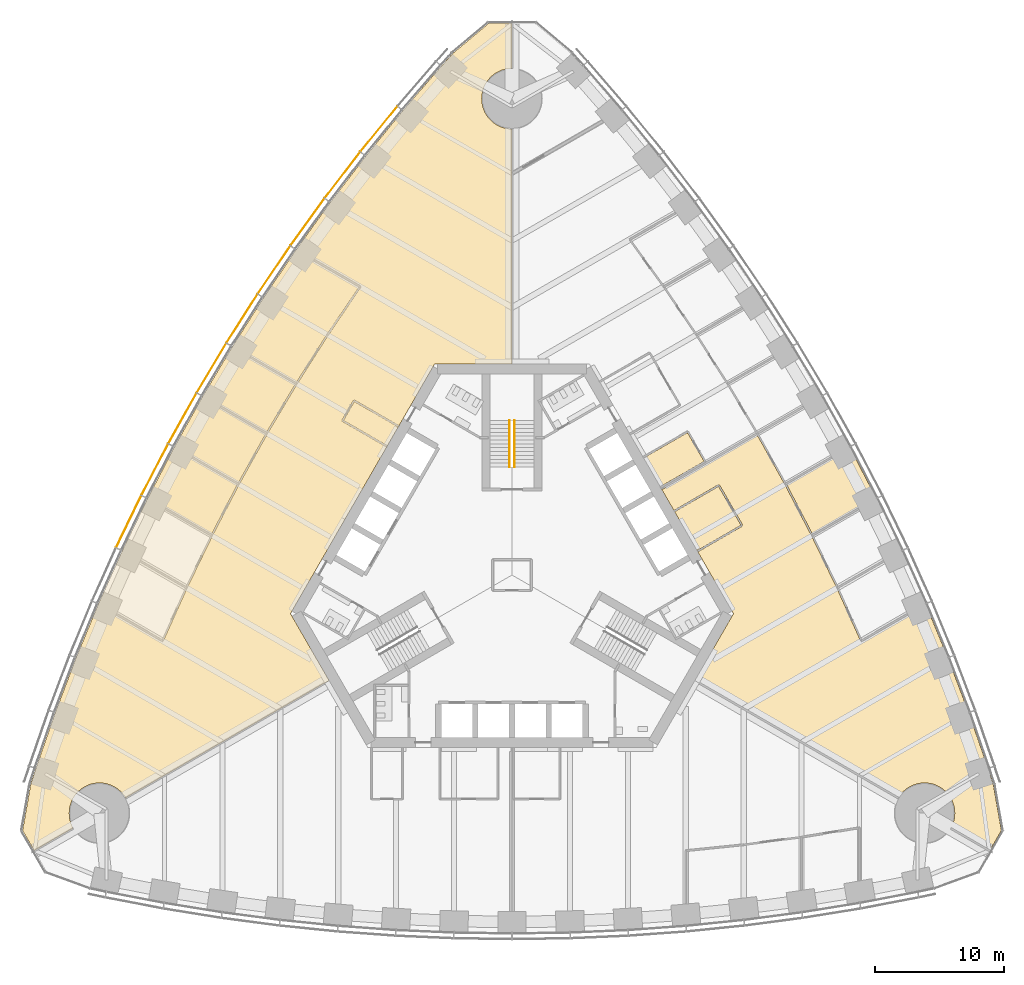
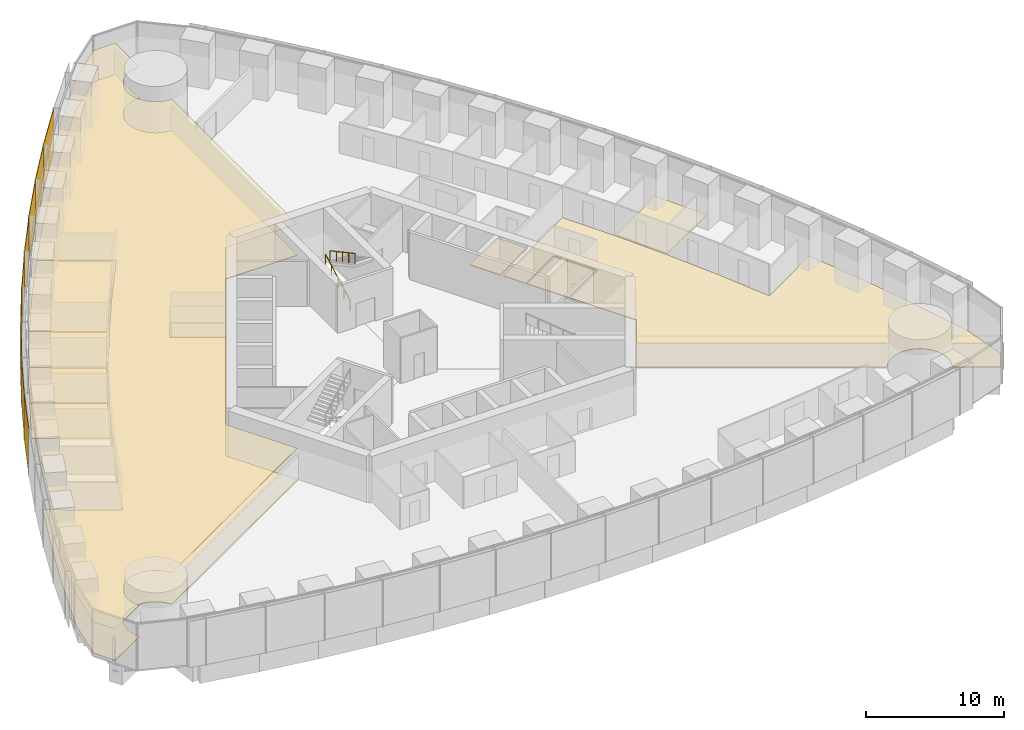
# One storey, part 16 of 19: 11 coverings, 9 shading devices, 2 railings.
"""IFC4 building model written with IfcOpenShell, lengths in metres."""

from ifc_helpers import new_model, si_unit, direction, frame, origin, origin_2d, place, context, subcontext, project, spatial, polyline, rectangle, circle, outline, extrude, material, layer, layer_set, type_object, element, save


model = new_model("IFC4")

# Units and contexts
model_context = context("Model", 3, precision=1e-05, world=origin(), true_north=direction((0.0, 1.0)))
body_context = subcontext(model_context, "Body", "Model", "MODEL_VIEW")
ifc_project = project(units=[si_unit("LENGTHUNIT", "METRE"), si_unit("AREAUNIT", "SQUARE_METRE"), si_unit("VOLUMEUNIT", "CUBIC_METRE"), si_unit("PLANEANGLEUNIT", "RADIAN"), si_unit("MASSUNIT", "GRAM", prefix="KILO")], contexts=[model_context])

# Site, building, storey
site_placement = place(None, origin())
site = spatial("IfcSite", under=ifc_project, at=site_placement, CompositionType="ELEMENT")
building_placement = place(site_placement, origin())
building = spatial("IfcBuilding", under=site, at=building_placement, Name="Trefoil Bronze Tower", CompositionType="ELEMENT")
storey_placement = place(building_placement, frame((0.0, 0.0, 79.5)))
storey = spatial("IfcBuildingStorey", under=building, at=storey_placement, Name="L18", CompositionType="ELEMENT", Elevation=79.5)

# Shading devices
ifc_material_1 = material(Name="Perforated bronze sheet", Category="bronze")
ifc_layer_1 = layer(ifc_material_1, 0.0400390625)
ifc_layer_set_1 = layer_set([ifc_layer_1], Name="Bronze solar screen panel")
shading_device_type = type_object("IfcShadingDeviceType", Name="Bronze solar screen panel", PredefinedType="SHUTTER", material=ifc_layer_set_1)
shading_device_1_placement = place(storey_placement, frame((-10.338623046875, 34.6474609375, 0.050048828125), z_axis=(0.0, 0.0, 1.0), x_axis=(-0.631810729457, -0.775122701346, 0.0)))
element("IfcShadingDevice", 1, at=shading_device_1_placement, inside=storey, type_object=shading_device_type, Name="Solar screen CW-A L18 F3 bay 3", PredefinedType="SHUTTER", context=body_context, shape_type="SweptSolid", body=[
    extrude(rectangle(XDim=4.5283203125, YDim=0.0400390625, at=origin_2d()), origin(), (0.0, 0.0, 1.0), 4.10009765625),
])
shading_device_2_placement = place(storey_placement, frame((-13.170166015625, 31.06787109375, 0.050048828125), z_axis=(0.0, 0.0, 1.0), x_axis=(-0.608807670879, -0.793317855515, 0.0)))
element("IfcShadingDevice", 2, at=shading_device_2_placement, inside=storey, type_object=shading_device_type, Name="Solar screen CW-A L18 F3 bay 4", PredefinedType="SHUTTER", context=body_context, shape_type="SweptSolid", body=[
    extrude(rectangle(XDim=4.5087890625, YDim=0.0400390625, at=origin_2d()), origin(), (0.0, 0.0, 1.0), 4.10009765625),
])
shading_device_3_placement = place(storey_placement, frame((-15.88525390625, 27.421142578125, 0.050048828125), z_axis=(0.0, 0.0, 1.0), x_axis=(-0.585372522213, -0.810764460394, 0.0)))
element("IfcShadingDevice", 3, at=shading_device_3_placement, inside=storey, type_object=shading_device_type, Name="Solar screen CW-A L18 F3 bay 5", PredefinedType="SHUTTER", context=body_context, shape_type="SweptSolid", body=[
    extrude(rectangle(XDim=4.493408203125, YDim=0.0400390625, at=origin_2d()), origin(), (0.0, 0.0, 1.0), 4.10009765625),
])
shading_device_4_placement = place(storey_placement, frame((-18.48486328125, 23.707763671875, 0.050048828125), z_axis=(0.0, 0.0, 1.0), x_axis=(-0.56150968077, -0.827470167681, 0.0)))
element("IfcShadingDevice", 4, at=shading_device_4_placement, inside=storey, type_object=shading_device_type, Name="Solar screen CW-A L18 F3 bay 6", PredefinedType="SHUTTER", context=body_context, shape_type="SweptSolid", body=[
    extrude(rectangle(XDim=4.48193359375, YDim=0.0400390625, at=origin_2d()), origin(), (0.0, 0.0, 1.0), 4.10009765625),
])
shading_device_5_placement = place(storey_placement, frame((-20.97021484375, 19.928466796875, 0.050048828125), z_axis=(0.0, 0.0, 1.0), x_axis=(-0.537222392469, -0.843440632783, 0.0)))
element("IfcShadingDevice", 5, at=shading_device_5_placement, inside=storey, type_object=shading_device_type, Name="Solar screen CW-A L18 F3 bay 7", PredefinedType="SHUTTER", context=body_context, shape_type="SweptSolid", body=[
    extrude(rectangle(XDim=4.474365234375, YDim=0.0400390625, at=origin_2d()), origin(), (0.0, 0.0, 1.0), 4.10009765625),
])
for number, where, z_axis, x_axis, name in (
    (6, (-23.341552734375, 16.083251953125, 0.050048828125), (0.0, 0.0, 1.0), (-0.51251279404, -0.858679588639, 0.0), "Solar screen CW-A L18 F3 bay 8"),
    (7, (-25.599365234375, 12.172607421875, 0.050048828125), (0.0, 0.0, 1.0), (-0.487381940453, -0.873188893722, 0.0), "Solar screen CW-A L18 F3 bay 9"),
):
    element("IfcShadingDevice", number, at=place(storey_placement, frame(where, z_axis=z_axis, x_axis=x_axis)), inside=storey, type_object=shading_device_type, Name=name, PredefinedType="SHUTTER", context=body_context, shape_type="SweptSolid", body=[
        extrude(rectangle(XDim=4.470458984375, YDim=0.0400390625, at=origin_2d()), origin(), (0.0, 0.0, 1.0), 4.10009765625),
    ])
shading_device_6_placement = place(storey_placement, frame((-27.74365234375, 8.1962890625, 0.050048828125), z_axis=(0.0, 0.0, 1.0), x_axis=(-0.46182981834, -0.886968555752, 0.0)))
element("IfcShadingDevice", 8, at=shading_device_6_placement, inside=storey, type_object=shading_device_type, Name="Solar screen CW-A L18 F3 bay 10", PredefinedType="SHUTTER", context=body_context, shape_type="SweptSolid", body=[
    extrude(rectangle(XDim=4.474365234375, YDim=0.0400390625, at=origin_2d()), origin(), (0.0, 0.0, 1.0), 4.10009765625),
])
shading_device_7_placement = place(storey_placement, frame((-29.77392578125, 4.154541015625, 0.050048828125), z_axis=(0.0, 0.0, 1.0), x_axis=(-0.4358553457, -0.900016731858, 0.0)))
element("IfcShadingDevice", 9, at=shading_device_7_placement, inside=storey, type_object=shading_device_type, Name="Solar screen CW-A L18 F3 bay 11", PredefinedType="SHUTTER", context=body_context, shape_type="SweptSolid", body=[
    extrude(rectangle(XDim=4.48193359375, YDim=0.0400390625, at=origin_2d()), origin(), (0.0, 0.0, 1.0), 4.10009765625),
])

# Railings
ifc_material_2 = material(Name="Steel handrail", Category="steel")
railing_type = type_object("IfcRailingType", Name="Handrail 900", PredefinedType="HANDRAIL", material=ifc_material_2)
railing_1_placement = place(storey_placement, frame((-0.199951171875, 8.389892578125, 0.16162109375)))
element("IfcRailing", 10, at=railing_1_placement, inside=storey, type_object=railing_type, Name="Handrail ST2 flight 1 L18", PredefinedType="HANDRAIL", context=body_context, shape_type="SweptSolid", body=[
    extrude(circle(Radius=0.02392578125, at=origin_2d()), frame((0.0, 0.0, 0.8759765625), z_axis=(0.0, 0.880474934443, 0.474092701714), x_axis=(-1.0, 0.0, 0.0)), (0.0, 0.0, 1.0), 4.0888671875),
    extrude(circle(Radius=0.02099609375, at=origin_2d()), origin(), (0.0, 0.0, 1.0), 0.851806640625),
    extrude(circle(Radius=0.02099609375, at=origin_2d()), frame((0.0, 0.89990234375, 0.484619140625)), (0.0, 0.0, 1.0), 0.851806640625),
    extrude(circle(Radius=0.02099609375, at=origin_2d()), frame((0.0, 1.800048828125, 0.96923828125)), (0.0, 0.0, 1.0), 0.851806640625),
    extrude(circle(Radius=0.02099609375, at=origin_2d()), frame((0.0, 2.7001953125, 1.453857421875)), (0.0, 0.0, 1.0), 0.851806640625),
    extrude(circle(Radius=0.02099609375, at=origin_2d()), frame((0.0, 3.60009765625, 1.9384765625)), (0.0, 0.0, 1.0), 0.851806640625),
])
railing_2_placement = place(storey_placement, frame((0.199951171875, 11.989990234375, 2.261474609375)))
element("IfcRailing", 11, at=railing_2_placement, inside=storey, type_object=railing_type, Name="Handrail ST2 flight 2 L18", PredefinedType="HANDRAIL", context=body_context, shape_type="SweptSolid", body=[
    extrude(circle(Radius=0.02392578125, at=origin_2d()), frame((0.0, 0.0, 0.8759765625), z_axis=(0.0, -0.880474934443, 0.474092701714), x_axis=(1.0, 0.0, 0.0)), (0.0, 0.0, 1.0), 4.0888671875),
    extrude(circle(Radius=0.02099609375, at=origin_2d()), origin(), (0.0, 0.0, 1.0), 0.851806640625),
    extrude(circle(Radius=0.02099609375, at=origin_2d()), frame((0.0, -0.89990234375, 0.484619140625)), (0.0, 0.0, 1.0), 0.851806640625),
    extrude(circle(Radius=0.02099609375, at=origin_2d()), frame((0.0, -1.800048828125, 0.96923828125)), (0.0, 0.0, 1.0), 0.851806640625),
    extrude(circle(Radius=0.02099609375, at=origin_2d()), frame((0.0, -2.7001953125, 1.453857421875)), (0.0, 0.0, 1.0), 0.851806640625),
    extrude(circle(Radius=0.02099609375, at=origin_2d()), frame((0.0, -3.60009765625, 1.9384765625)), (0.0, 0.0, 1.0), 0.851806640625),
])

# Coverings
ifc_material_3 = material(Name="Acoustic ceiling panels", Category="mineral fibre")
ifc_layer_2 = layer(ifc_material_3, 0.02001953125)
ifc_layer_set_2 = layer_set([ifc_layer_2], Name="Office ceiling 20")
covering_type_1 = type_object("IfcCoveringType", Name="Office ceiling 20", PredefinedType="CEILING", material=ifc_layer_set_2)
covering_1_placement = place(storey_placement, frame((0.0, 0.0, 2.89990234375)))
element("IfcCovering", 12, at=covering_1_placement, inside=storey, type_object=covering_type_1, Name="Ceiling L18 Open-plan office F3", PredefinedType="CEILING", context=body_context, shape_type="SweptSolid", body=[
    extrude(outline(polyline([(-36.9814453125, -15.021728515625), (-35.47998046875, -10.6923828125), (-33.860107421875, -6.431640625), (-32.123291015625, -2.23828125), (-30.271240234375, 1.888671875), (-28.3046875, 5.949462890625), (-26.224609375, 9.944580078125), (-24.031005859375, 13.87451171875), (-21.724609375, 17.73876953125), (-19.3046875, 21.537841796875), (-16.771240234375, 25.271484375), (-14.123291015625, 28.938720703125), (-11.360107421875, 32.53955078125), (-8.47998046875, 36.072998046875), (-5.4814453125, 39.537841796875), (-4.618896484375, 40.497314453125), (-1.82421875, 42.84228515625), (-0.01611328125, 42.84228515625), (-0.014892578125, 39.349609375), (-0.115234375, 39.34716796875), (-0.230224609375, 39.338623046875), (-0.3447265625, 39.32470703125), (-0.45849609375, 39.3046875), (-0.571044921875, 39.279541015625), (-0.68212890625, 39.248779296875), (-0.791748046875, 39.212646484375), (-0.8994140625, 39.171142578125), (-1.0048828125, 39.12451171875), (-1.10791015625, 39.072509765625), (-1.2080078125, 39.015625), (-1.3056640625, 38.9541015625), (-1.39990234375, 38.887451171875), (-1.49072265625, 38.816650390625), (-1.578125, 38.7412109375), (-1.66162109375, 38.66162109375), (-1.7412109375, 38.578125), (-1.816650390625, 38.49072265625), (-1.887451171875, 38.39990234375), (-1.9541015625, 38.3056640625), (-2.015625, 38.2080078125), (-2.072509765625, 38.10791015625), (-2.12451171875, 38.0048828125), (-2.171142578125, 37.8994140625), (-2.212646484375, 37.791748046875), (-2.248779296875, 37.68212890625), (-2.279541015625, 37.571044921875), (-2.3046875, 37.45849609375), (-2.32470703125, 37.3447265625), (-2.338623046875, 37.230224609375), (-2.34716796875, 37.115234375), (-2.35009765625, 37.0), (-2.34716796875, 36.884765625), (-2.338623046875, 36.769775390625), (-2.32470703125, 36.6552734375), (-2.3046875, 36.54150390625), (-2.279541015625, 36.428955078125), (-2.248779296875, 36.31787109375), (-2.212646484375, 36.208251953125), (-2.171142578125, 36.1005859375), (-2.12451171875, 35.9951171875), (-2.072509765625, 35.89208984375), (-2.015625, 35.7919921875), (-1.9541015625, 35.6943359375), (-1.887451171875, 35.60009765625), (-1.816650390625, 35.50927734375), (-1.7412109375, 35.421875), (-1.66162109375, 35.33837890625), (-1.578125, 35.2587890625), (-1.49072265625, 35.183349609375), (-1.39990234375, 35.112548828125), (-1.3056640625, 35.0458984375), (-1.2080078125, 34.984375), (-1.10791015625, 34.927490234375), (-1.0048828125, 34.87548828125), (-0.8994140625, 34.828857421875), (-0.791748046875, 34.787353515625), (-0.68212890625, 34.751220703125), (-0.571044921875, 34.720458984375), (-0.45849609375, 34.6953125), (-0.3447265625, 34.67529296875), (-0.230224609375, 34.661376953125), (-0.115234375, 34.65283203125), (-0.012939453125, 34.650390625), (-0.006103515625, 16.39990234375), (-6.00439453125, 16.39990234375), (-17.205078125, -3.0), (-14.205810546875, -8.194580078125), (-30.0146484375, -17.31396484375), (-30.02734375, -17.2919921875), (-30.089111328125, -17.1943359375), (-30.155517578125, -17.10009765625), (-30.226318359375, -17.00927734375), (-30.3017578125, -16.921875), (-30.381103515625, -16.83837890625), (-30.46484375, -16.7587890625), (-30.552001953125, -16.683349609375), (-30.64306640625, -16.612548828125), (-30.7373046875, -16.5458984375), (-30.834716796875, -16.484375), (-30.935302734375, -16.427490234375), (-31.0380859375, -16.37548828125), (-31.1435546875, -16.328857421875), (-31.251220703125, -16.287353515625), (-31.36083984375, -16.251220703125), (-31.471923828125, -16.220458984375), (-31.58447265625, -16.1953125), (-31.697998046875, -16.17529296875), (-31.8125, -16.161376953125), (-31.927490234375, -16.15283203125), (-32.04296875, -16.14990234375), (-32.158203125, -16.15283203125), (-32.273193359375, -16.161376953125), (-32.3876953125, -16.17529296875), (-32.50146484375, -16.1953125), (-32.614013671875, -16.220458984375), (-32.72509765625, -16.251220703125), (-32.834716796875, -16.287353515625), (-32.942138671875, -16.328857421875), (-33.047607421875, -16.37548828125), (-33.150634765625, -16.427490234375), (-33.251220703125, -16.484375), (-33.348388671875, -16.5458984375), (-33.44287109375, -16.612548828125), (-33.53369140625, -16.683349609375), (-33.62109375, -16.7587890625), (-33.70458984375, -16.83837890625), (-33.7841796875, -16.921875), (-33.859619140625, -17.00927734375), (-33.930419921875, -17.10009765625), (-33.996826171875, -17.1943359375), (-34.05859375, -17.2919921875), (-34.115478515625, -17.39208984375), (-34.167236328125, -17.4951171875), (-34.214111328125, -17.6005859375), (-34.255615234375, -17.708251953125), (-34.291748046875, -17.81787109375), (-34.322509765625, -17.928955078125), (-34.347900390625, -18.04150390625), (-34.367431640625, -18.1552734375), (-34.381591796875, -18.269775390625), (-34.39013671875, -18.384765625), (-34.392822265625, -18.5), (-34.39013671875, -18.615234375), (-34.381591796875, -18.730224609375), (-34.367431640625, -18.8447265625), (-34.347900390625, -18.95849609375), (-34.322509765625, -19.071044921875), (-34.291748046875, -19.18212890625), (-34.255615234375, -19.291748046875), (-34.214111328125, -19.3994140625), (-34.167236328125, -19.5048828125), (-34.115478515625, -19.60791015625), (-34.084716796875, -19.661865234375), (-37.110595703125, -21.4072265625), (-38.0146484375, -19.841552734375), (-37.381103515625, -16.248779296875), (-36.9814453125, -15.021728515625)])), origin(), (0.0, 0.0, 1.0), 0.02001953125),
])
ifc_material_4 = material(Name="Raised access floor panels", Category="steel")
ifc_layer_3 = layer(ifc_material_4, 0.050048828125)
ifc_layer_set_3 = layer_set([ifc_layer_3], Name="Raised access floor 150")
covering_type_2 = type_object("IfcCoveringType", Name="Raised access floor 150", PredefinedType="FLOORING", material=ifc_layer_set_3)
covering_2_placement = place(storey_placement, frame((0.0, 0.0, 0.10009765625)))
element("IfcCovering", 13, at=covering_2_placement, inside=storey, type_object=covering_type_2, Name="Raised floor L18 Meeting room F2", PredefinedType="FLOORING", context=body_context, shape_type="SweptSolid", body=[
    extrude(outline(polyline([(12.634765625, 4.916015625), (16.046875, 6.885986328125), (17.786865234375, 3.872314453125), (14.374755859375, 1.902099609375), (12.634765625, 4.916015625)])), origin(), (0.0, 0.0, 1.0), 0.0498046875),
])
covering_3_placement = place(storey_placement, frame((0.0, 0.0, 0.10009765625)))
element("IfcCovering", 14, at=covering_3_placement, inside=storey, type_object=covering_type_2, Name="Raised floor L18 Pantry F2", PredefinedType="FLOORING", context=body_context, shape_type="SweptSolid", body=[
    extrude(outline(polyline([(10.22216796875, 9.094482421875), (13.634521484375, 11.064697265625), (14.92431640625, 8.830078125), (11.51220703125, 6.860107421875), (10.22216796875, 9.094482421875)])), origin(), (0.0, 0.0, 1.0), 0.0498046875),
])
covering_4_placement = place(storey_placement, frame((0.0, 0.0, 0.10009765625)))
element("IfcCovering", 15, at=covering_4_placement, inside=storey, type_object=covering_type_2, Name="Raised floor L18 Office F2", PredefinedType="FLOORING", context=body_context, shape_type="SweptSolid", body=[
    extrude(outline(polyline([(26.224609375, 9.944580078125), (28.3046875, 5.949462890625), (26.890869140625, 5.133056640625), (26.86083984375, 5.18505859375), (23.349365234375, 3.15771484375), (21.32470703125, 7.04638671875), (24.84228515625, 9.077392578125), (24.812255859375, 9.12939453125), (26.224609375, 9.944580078125)])), origin(), (0.0, 0.0, 1.0), 0.0498046875),
])
covering_5_placement = place(storey_placement, frame((0.0, 0.0, 0.10009765625)))
element("IfcCovering", 16, at=covering_5_placement, inside=storey, type_object=covering_type_2, Name="Raised floor L18 Open-plan office F2", PredefinedType="FLOORING", context=body_context, shape_type="SweptSolid", body=[
    extrude(outline(polyline([(30.0146484375, -17.31396484375), (14.205810546875, -8.194580078125), (17.205078125, -3.0), (14.434814453125, 1.79833984375), (17.898681640625, 3.79833984375), (17.868896484375, 3.850341796875), (17.9208984375, 3.88037109375), (16.120849609375, 6.997802734375), (16.06884765625, 6.968017578125), (16.038818359375, 7.02001953125), (12.57470703125, 5.02001953125), (11.605224609375, 6.69921875), (11.614013671875, 6.7041015625), (11.65087890625, 6.639892578125), (19.035888671875, 10.90380859375), (21.192138671875, 7.041015625), (23.271484375, 3.047607421875), (25.2373046875, -1.01171875), (27.089111328125, -5.1376953125), (27.143798828125, -5.11328125), (27.173828125, -5.1650390625), (30.732177734375, -3.110595703125), (30.7021484375, -3.05859375), (32.123291015625, -2.23828125), (33.860107421875, -6.431640625), (35.47998046875, -10.6923828125), (36.9814453125, -15.021728515625), (37.381103515625, -16.248779296875), (38.0146484375, -19.841552734375), (37.110595703125, -21.4072265625), (34.084716796875, -19.661865234375), (34.115478515625, -19.60791015625), (34.167236328125, -19.5048828125), (34.214111328125, -19.3994140625), (34.255615234375, -19.291748046875), (34.291748046875, -19.18212890625), (34.322509765625, -19.071044921875), (34.347900390625, -18.95849609375), (34.367431640625, -18.8447265625), (34.381591796875, -18.730224609375), (34.39013671875, -18.615234375), (34.392822265625, -18.5), (34.39013671875, -18.384765625), (34.381591796875, -18.269775390625), (34.367431640625, -18.1552734375), (34.347900390625, -18.04150390625), (34.322509765625, -17.928955078125), (34.291748046875, -17.81787109375), (34.255615234375, -17.708251953125), (34.214111328125, -17.6005859375), (34.167236328125, -17.4951171875), (34.115478515625, -17.39208984375), (34.05859375, -17.2919921875), (33.996826171875, -17.1943359375), (33.930419921875, -17.10009765625), (33.859619140625, -17.00927734375), (33.7841796875, -16.921875), (33.70458984375, -16.83837890625), (33.62109375, -16.7587890625), (33.53369140625, -16.683349609375), (33.44287109375, -16.612548828125), (33.348388671875, -16.5458984375), (33.251220703125, -16.484375), (33.150634765625, -16.427490234375), (33.047607421875, -16.37548828125), (32.942138671875, -16.328857421875), (32.834716796875, -16.287353515625), (32.72509765625, -16.251220703125), (32.614013671875, -16.220458984375), (32.50146484375, -16.1953125), (32.3876953125, -16.17529296875), (32.273193359375, -16.161376953125), (32.158203125, -16.15283203125), (32.04296875, -16.14990234375), (31.927490234375, -16.15283203125), (31.8125, -16.161376953125), (31.697998046875, -16.17529296875), (31.58447265625, -16.1953125), (31.471923828125, -16.220458984375), (31.36083984375, -16.251220703125), (31.251220703125, -16.287353515625), (31.1435546875, -16.328857421875), (31.0380859375, -16.37548828125), (30.935302734375, -16.427490234375), (30.834716796875, -16.484375), (30.7373046875, -16.5458984375), (30.64306640625, -16.612548828125), (30.552001953125, -16.683349609375), (30.46484375, -16.7587890625), (30.381103515625, -16.83837890625), (30.3017578125, -16.921875), (30.226318359375, -17.00927734375), (30.155517578125, -17.10009765625), (30.089111328125, -17.1943359375), (30.02734375, -17.2919921875), (30.0146484375, -17.31396484375)])), origin(), (0.0, 0.0, 1.0), 0.0498046875),
])
covering_6_placement = place(storey_placement, frame((0.0, 0.0, 0.10009765625)))
element("IfcCovering", 17, at=covering_6_placement, inside=storey, type_object=covering_type_2, Name="Raised floor L18 Focus room F3", PredefinedType="FLOORING", context=body_context, shape_type="SweptSolid", body=[
    extrude(outline(polyline([(-9.6748046875, 10.04296875), (-13.0869140625, 12.012939453125), (-12.246826171875, 13.4677734375), (-8.834716796875, 11.497802734375), (-9.6748046875, 10.04296875)])), origin(), (0.0, 0.0, 1.0), 0.0498046875),
])
covering_7_placement = place(storey_placement, frame((0.0, 0.0, 0.10009765625)))
element("IfcCovering", 18, at=covering_7_placement, inside=storey, type_object=covering_type_2, Name="Raised floor L18 Library F3", PredefinedType="FLOORING", context=body_context, shape_type="SweptSolid", body=[
    extrude(outline(polyline([(-19.3046875, 21.537841796875), (-16.771240234375, 25.271484375), (-15.354248046875, 24.453369140625), (-15.38427734375, 24.4013671875), (-11.87744140625, 22.376708984375), (-14.374755859375, 18.696533203125), (-14.3251953125, 18.662841796875), (-14.375732421875, 18.695068359375), (-16.7646484375, 14.944580078125), (-20.2822265625, 16.975341796875), (-20.312255859375, 16.923583984375), (-21.724609375, 17.73876953125), (-19.3046875, 21.537841796875)])), origin(), (0.0, 0.0, 1.0), 0.0498046875),
])
covering_8_placement = place(storey_placement, frame((0.0, 0.0, 0.10009765625)))
element("IfcCovering", 19, at=covering_8_placement, inside=storey, type_object=covering_type_2, Name="Raised floor L18 Office F3", PredefinedType="FLOORING", context=body_context, shape_type="SweptSolid", body=[
    extrude(outline(polyline([(-24.031005859375, 13.87451171875), (-21.724609375, 17.73876953125), (-20.312255859375, 16.923583984375), (-20.34228515625, 16.87158203125), (-16.82763671875, 14.84228515625), (-19.07275390625, 11.080810546875), (-22.589599609375, 13.111328125), (-22.619384765625, 13.059326171875), (-24.031005859375, 13.87451171875)])), origin(), (0.0, 0.0, 1.0), 0.0498046875),
])
covering_9_placement = place(storey_placement, frame((0.0, 0.0, 0.10009765625)))
element("IfcCovering", 20, at=covering_9_placement, inside=storey, type_object=covering_type_2, Name="Raised floor L18 Office F3", PredefinedType="FLOORING", context=body_context, shape_type="SweptSolid", body=[
    extrude(outline(polyline([(-26.224609375, 9.944580078125), (-24.031005859375, 13.87451171875), (-22.619384765625, 13.059326171875), (-22.6494140625, 13.00732421875), (-19.1328125, 10.97705078125), (-21.267578125, 7.152099609375), (-24.7822265625, 9.18115234375), (-24.812255859375, 9.12939453125), (-26.224609375, 9.944580078125)])), origin(), (0.0, 0.0, 1.0), 0.0498046875),
])
covering_10_placement = place(storey_placement, frame((0.0, 0.0, 0.10009765625)))
element("IfcCovering", 21, at=covering_10_placement, inside=storey, type_object=covering_type_2, Name="Raised floor L18 Office F3", PredefinedType="FLOORING", context=body_context, shape_type="SweptSolid", body=[
    extrude(outline(polyline([(-28.3046875, 5.949462890625), (-26.224609375, 9.944580078125), (-24.812255859375, 9.12939453125), (-24.84228515625, 9.077392578125), (-21.32470703125, 7.04638671875), (-23.349365234375, 3.15771484375), (-26.86083984375, 5.18505859375), (-26.890869140625, 5.133056640625), (-28.3046875, 5.949462890625)])), origin(), (0.0, 0.0, 1.0), 0.0498046875),
])
covering_11_placement = place(storey_placement, frame((0.0, 0.0, 0.10009765625)))
element("IfcCovering", 22, at=covering_11_placement, inside=storey, type_object=covering_type_2, Name="Raised floor L18 Open-plan office F3", PredefinedType="FLOORING", context=body_context, shape_type="SweptSolid", body=[
    extrude(outline(polyline([(-33.860107421875, -6.431640625), (-32.123291015625, -2.23828125), (-30.7021484375, -3.05859375), (-30.732177734375, -3.110595703125), (-27.173828125, -5.1650390625), (-27.143798828125, -5.11328125), (-27.089111328125, -5.1376953125), (-25.2373046875, -1.01171875), (-23.271484375, 3.047607421875), (-21.192138671875, 7.041015625), (-18.99951171875, 10.969482421875), (-16.69384765625, 14.832275390625), (-14.478515625, 18.310302734375), (-14.061767578125, 18.944091796875), (-11.741943359375, 22.36279296875), (-11.79150390625, 22.396484375), (-11.76171875, 22.4482421875), (-15.32421875, 24.505126953125), (-15.354248046875, 24.453369140625), (-16.771240234375, 25.271484375), (-14.123291015625, 28.938720703125), (-11.360107421875, 32.53955078125), (-8.47998046875, 36.072998046875), (-5.4814453125, 39.537841796875), (-4.618896484375, 40.497314453125), (-1.82421875, 42.84228515625), (-0.01611328125, 42.84228515625), (-0.014892578125, 39.349609375), (-0.115234375, 39.34716796875), (-0.230224609375, 39.338623046875), (-0.3447265625, 39.32470703125), (-0.45849609375, 39.3046875), (-0.571044921875, 39.279541015625), (-0.68212890625, 39.248779296875), (-0.791748046875, 39.212646484375), (-0.8994140625, 39.171142578125), (-1.0048828125, 39.12451171875), (-1.10791015625, 39.072509765625), (-1.2080078125, 39.015625), (-1.3056640625, 38.9541015625), (-1.39990234375, 38.887451171875), (-1.49072265625, 38.816650390625), (-1.578125, 38.7412109375), (-1.66162109375, 38.66162109375), (-1.7412109375, 38.578125), (-1.816650390625, 38.49072265625), (-1.887451171875, 38.39990234375), (-1.9541015625, 38.3056640625), (-2.015625, 38.2080078125), (-2.072509765625, 38.10791015625), (-2.12451171875, 38.0048828125), (-2.171142578125, 37.8994140625), (-2.212646484375, 37.791748046875), (-2.248779296875, 37.68212890625), (-2.279541015625, 37.571044921875), (-2.3046875, 37.45849609375), (-2.32470703125, 37.3447265625), (-2.338623046875, 37.230224609375), (-2.34716796875, 37.115234375), (-2.35009765625, 37.0), (-2.34716796875, 36.884765625), (-2.338623046875, 36.769775390625), (-2.32470703125, 36.6552734375), (-2.3046875, 36.54150390625), (-2.279541015625, 36.428955078125), (-2.248779296875, 36.31787109375), (-2.212646484375, 36.208251953125), (-2.171142578125, 36.1005859375), (-2.12451171875, 35.9951171875), (-2.072509765625, 35.89208984375), (-2.015625, 35.7919921875), (-1.9541015625, 35.6943359375), (-1.887451171875, 35.60009765625), (-1.816650390625, 35.50927734375), (-1.7412109375, 35.421875), (-1.66162109375, 35.33837890625), (-1.578125, 35.2587890625), (-1.49072265625, 35.183349609375), (-1.39990234375, 35.112548828125), (-1.3056640625, 35.0458984375), (-1.2080078125, 34.984375), (-1.10791015625, 34.927490234375), (-1.0048828125, 34.87548828125), (-0.8994140625, 34.828857421875), (-0.791748046875, 34.787353515625), (-0.68212890625, 34.751220703125), (-0.571044921875, 34.720458984375), (-0.45849609375, 34.6953125), (-0.3447265625, 34.67529296875), (-0.230224609375, 34.661376953125), (-0.115234375, 34.65283203125), (-0.012939453125, 34.650390625), (-0.006103515625, 16.39990234375), (-6.00439453125, 16.39990234375), (-8.774658203125, 11.601806640625), (-12.23876953125, 13.601806640625), (-12.268798828125, 13.5498046875), (-12.32080078125, 13.57958984375), (-13.220703125, 12.02099609375), (-13.168701171875, 11.990966796875), (-13.19873046875, 11.93896484375), (-9.734619140625, 9.93896484375), (-17.205078125, -3.0), (-14.205810546875, -8.194580078125), (-30.0146484375, -17.31396484375), (-30.02734375, -17.2919921875), (-30.089111328125, -17.1943359375), (-30.155517578125, -17.10009765625), (-30.226318359375, -17.00927734375), (-30.3017578125, -16.921875), (-30.381103515625, -16.83837890625), (-30.46484375, -16.7587890625), (-30.552001953125, -16.683349609375), (-30.64306640625, -16.612548828125), (-30.7373046875, -16.5458984375), (-30.834716796875, -16.484375), (-30.935302734375, -16.427490234375), (-31.0380859375, -16.37548828125), (-31.1435546875, -16.328857421875), (-31.251220703125, -16.287353515625), (-31.36083984375, -16.251220703125), (-31.471923828125, -16.220458984375), (-31.58447265625, -16.1953125), (-31.697998046875, -16.17529296875), (-31.8125, -16.161376953125), (-31.927490234375, -16.15283203125), (-32.04296875, -16.14990234375), (-32.158203125, -16.15283203125), (-32.273193359375, -16.161376953125), (-32.3876953125, -16.17529296875), (-32.50146484375, -16.1953125), (-32.614013671875, -16.220458984375), (-32.72509765625, -16.251220703125), (-32.834716796875, -16.287353515625), (-32.942138671875, -16.328857421875), (-33.047607421875, -16.37548828125), (-33.150634765625, -16.427490234375), (-33.251220703125, -16.484375), (-33.348388671875, -16.5458984375), (-33.44287109375, -16.612548828125), (-33.53369140625, -16.683349609375), (-33.62109375, -16.7587890625), (-33.70458984375, -16.83837890625), (-33.7841796875, -16.921875), (-33.859619140625, -17.00927734375), (-33.930419921875, -17.10009765625), (-33.996826171875, -17.1943359375), (-34.05859375, -17.2919921875), (-34.115478515625, -17.39208984375), (-34.167236328125, -17.4951171875), (-34.214111328125, -17.6005859375), (-34.255615234375, -17.708251953125), (-34.291748046875, -17.81787109375), (-34.322509765625, -17.928955078125), (-34.347900390625, -18.04150390625), (-34.367431640625, -18.1552734375), (-34.381591796875, -18.269775390625), (-34.39013671875, -18.384765625), (-34.392822265625, -18.5), (-34.39013671875, -18.615234375), (-34.381591796875, -18.730224609375), (-34.367431640625, -18.8447265625), (-34.347900390625, -18.95849609375), (-34.322509765625, -19.071044921875), (-34.291748046875, -19.18212890625), (-34.255615234375, -19.291748046875), (-34.214111328125, -19.3994140625), (-34.167236328125, -19.5048828125), (-34.115478515625, -19.60791015625), (-34.084716796875, -19.661865234375), (-37.110595703125, -21.4072265625), (-38.0146484375, -19.841552734375), (-37.381103515625, -16.248779296875), (-36.9814453125, -15.021728515625), (-35.47998046875, -10.6923828125), (-33.860107421875, -6.431640625)])), origin(), (0.0, 0.0, 1.0), 0.0498046875),
])

save(model, "model.ifc")
